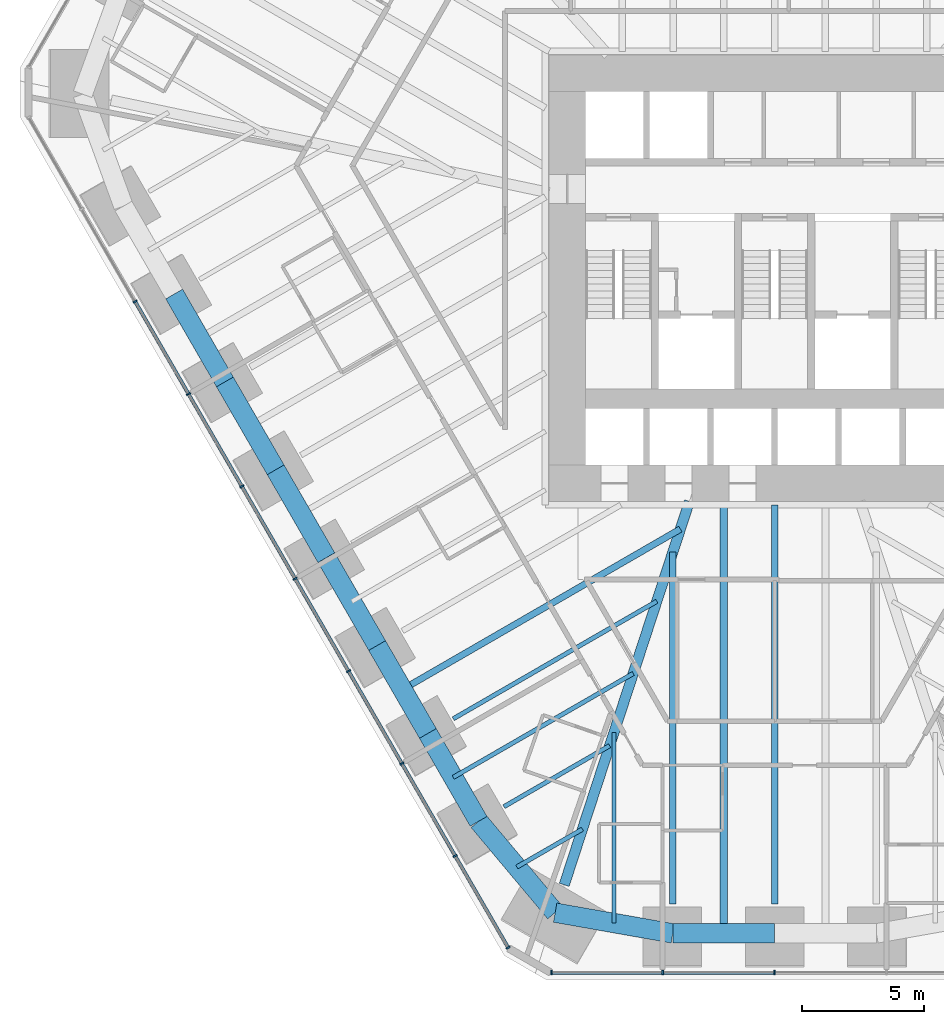
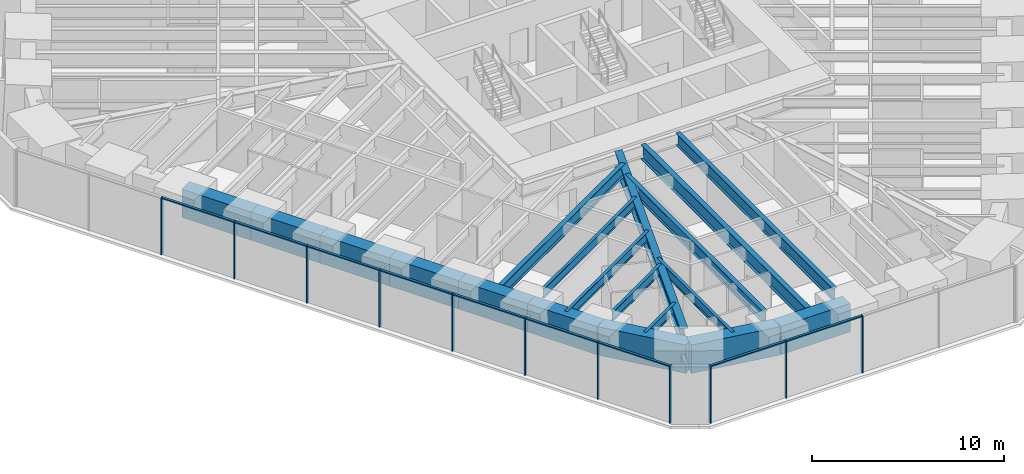
# One storey, part 2 of 17: 20 members, 19 beams, 2 elements without a shape of their own.
"""IFC4 building model written with IfcOpenShell, lengths in metres."""

from ifc_helpers import new_model, si_unit, direction, frame, origin, origin_2d, place, context, subcontext, project, spatial, rectangle, i_section, extrude, material, material_profile, profile_set, type_object, element, aggregate, save


model = new_model("IFC4")

# Units and contexts
model_context = context("Model", 3, precision=1e-05, world=origin(), true_north=direction((0.0, 1.0)))
body_context = subcontext(model_context, "Body", "Model", "MODEL_VIEW")
ifc_project = project(units=[si_unit("LENGTHUNIT", "METRE"), si_unit("AREAUNIT", "SQUARE_METRE"), si_unit("VOLUMEUNIT", "CUBIC_METRE"), si_unit("PLANEANGLEUNIT", "RADIAN"), si_unit("MASSUNIT", "GRAM", prefix="KILO")], contexts=[model_context])

# Site, building, storey
site_placement = place(None, origin())
site = spatial("IfcSite", under=ifc_project, at=site_placement, CompositionType="ELEMENT")
building_placement = place(site_placement, origin())
building = spatial("IfcBuilding", under=site, at=building_placement, Name="Sandreach Pilgrim Tower", CompositionType="ELEMENT")
storey_placement = place(building_placement, frame((0.0, 0.0, 61.0)))
storey = spatial("IfcBuildingStorey", under=building, at=storey_placement, Name="L14", CompositionType="ELEMENT", Elevation=61.0)

# Curtain wall, members
ifc_material_1 = material(Name="Aluminium framed curtain wall", Category="aluminium")
curtain_wall_type = type_object("IfcCurtainWallType", Name="Hostel tower curtain wall", PredefinedType="NOTDEFINED", material=ifc_material_1)
curtain_wall_1_placement = place(storey_placement, origin())
curtain_wall_1 = element("IfcCurtainWall", 1, at=curtain_wall_1_placement, inside=storey, type_object=curtain_wall_type, Name="CW-1 L14 S", PredefinedType="NOTDEFINED")
ifc_material_2 = material(Name="Aluminium extrusion", Category="aluminium")
ifc_material_profile_1 = material_profile(ifc_material_2, rectangle(XDim=0.06494140625, YDim=0.179931640625, at=origin_2d()), Name="CW-1M 65X180")
ifc_profile_set_1 = profile_set([ifc_material_profile_1], Name="Aluminium extrusion")
member_type_1 = type_object("IfcMemberType", Name="CW-1 mullion", PredefinedType="MULLION", material=ifc_profile_set_1)
member_1_placement = place(storey_placement, frame((0.0, -30.010986328125, 0.0), z_axis=(0.0, 0.0, 1.0), x_axis=(-1.0, 0.0, 0.0)))
member_1 = element("IfcMember", 2, at=member_1_placement, type_object=member_type_1, Name="CW-1 mullion 3", PredefinedType="MULLION", context=body_context, shape_type="SweptSolid", body=[
    extrude(rectangle(XDim=0.06494140625, YDim=0.179931640625, at=origin_2d()), origin(), (0.0, 0.0, 1.0), 3.639892578125),
])
member_2_placement = place(storey_placement, frame((-4.5859375, -30.010986328125, 0.0), z_axis=(0.0, 0.0, 1.0), x_axis=(-1.0, 0.0, 0.0)))
member_2 = element("IfcMember", 3, at=member_2_placement, type_object=member_type_1, Name="CW-1 mullion 4", PredefinedType="MULLION", context=body_context, shape_type="SweptSolid", body=[
    extrude(rectangle(XDim=0.06494140625, YDim=0.179931640625, at=origin_2d()), origin(), (0.0, 0.0, 1.0), 3.639892578125),
])
member_3_placement = place(storey_placement, frame((-9.1396484375, -30.010986328125, 0.0), z_axis=(0.0, 0.0, 1.0), x_axis=(-1.0, 0.0, 0.0)))
member_3 = element("IfcMember", 4, at=member_3_placement, type_object=member_type_1, Name="CW-1 mullion 5", PredefinedType="MULLION", context=body_context, shape_type="SweptSolid", body=[
    extrude(rectangle(XDim=0.06494140625, YDim=0.179931640625, at=origin_2d()), origin(), (0.0, 0.0, 1.0), 3.639892578125),
])

curtain_wall_2_placement = place(storey_placement, origin())
curtain_wall_2 = element("IfcCurtainWall", 5, at=curtain_wall_2_placement, inside=storey, type_object=curtain_wall_type, Name="CW-1 L14 SW", PredefinedType="NOTDEFINED")
member_4_placement = place(storey_placement, frame((-10.92041015625, -28.982666015625, 0.0), z_axis=(0.0, 0.0, 1.0), x_axis=(-0.5, 0.866025403784, 0.0)))
member_4 = element("IfcMember", 6, at=member_4_placement, type_object=member_type_1, Name="CW-1 mullion 1", PredefinedType="MULLION", context=body_context, shape_type="SweptSolid", body=[
    extrude(rectangle(XDim=0.06494140625, YDim=0.179931640625, at=origin_2d()), origin(), (0.0, 0.0, 1.0), 3.639892578125),
])
member_5_placement = place(storey_placement, frame((-13.08984375, -25.22509765625, 0.0), z_axis=(0.0, 0.0, 1.0), x_axis=(-0.5, 0.866025403784, 0.0)))
member_5 = element("IfcMember", 7, at=member_5_placement, type_object=member_type_1, Name="CW-1 mullion 2", PredefinedType="MULLION", context=body_context, shape_type="SweptSolid", body=[
    extrude(rectangle(XDim=0.06494140625, YDim=0.179931640625, at=origin_2d()), origin(), (0.0, 0.0, 1.0), 3.639892578125),
])
member_6_placement = place(storey_placement, frame((-15.275634765625, -21.439208984375, 0.0), z_axis=(0.0, 0.0, 1.0), x_axis=(-0.5, 0.866025403784, 0.0)))
member_6 = element("IfcMember", 8, at=member_6_placement, type_object=member_type_1, Name="CW-1 mullion 3", PredefinedType="MULLION", context=body_context, shape_type="SweptSolid", body=[
    extrude(rectangle(XDim=0.06494140625, YDim=0.179931640625, at=origin_2d()), origin(), (0.0, 0.0, 1.0), 3.639892578125),
])
member_7_placement = place(storey_placement, frame((-17.46142578125, -17.6533203125, 0.0), z_axis=(0.0, 0.0, 1.0), x_axis=(-0.5, 0.866025403784, 0.0)))
member_7 = element("IfcMember", 9, at=member_7_placement, type_object=member_type_1, Name="CW-1 mullion 4", PredefinedType="MULLION", context=body_context, shape_type="SweptSolid", body=[
    extrude(rectangle(XDim=0.06494140625, YDim=0.179931640625, at=origin_2d()), origin(), (0.0, 0.0, 1.0), 3.639892578125),
])
member_8_placement = place(storey_placement, frame((-19.647216796875, -13.8671875, 0.0), z_axis=(0.0, 0.0, 1.0), x_axis=(-0.5, 0.866025403784, 0.0)))
member_8 = element("IfcMember", 10, at=member_8_placement, type_object=member_type_1, Name="CW-1 mullion 5", PredefinedType="MULLION", context=body_context, shape_type="SweptSolid", body=[
    extrude(rectangle(XDim=0.06494140625, YDim=0.179931640625, at=origin_2d()), origin(), (0.0, 0.0, 1.0), 3.639892578125),
])
member_9_placement = place(storey_placement, frame((-21.8330078125, -10.081298828125, 0.0), z_axis=(0.0, 0.0, 1.0), x_axis=(-0.5, 0.866025403784, 0.0)))
member_9 = element("IfcMember", 11, at=member_9_placement, type_object=member_type_1, Name="CW-1 mullion 6", PredefinedType="MULLION", context=body_context, shape_type="SweptSolid", body=[
    extrude(rectangle(XDim=0.06494140625, YDim=0.179931640625, at=origin_2d()), origin(), (0.0, 0.0, 1.0), 3.639892578125),
])
member_10_placement = place(storey_placement, frame((-24.018798828125, -6.29541015625, 0.0), z_axis=(0.0, 0.0, 1.0), x_axis=(-0.5, 0.866025403784, 0.0)))
member_10 = element("IfcMember", 12, at=member_10_placement, type_object=member_type_1, Name="CW-1 mullion 7", PredefinedType="MULLION", context=body_context, shape_type="SweptSolid", body=[
    extrude(rectangle(XDim=0.06494140625, YDim=0.179931640625, at=origin_2d()), origin(), (0.0, 0.0, 1.0), 3.639892578125),
])
member_11_placement = place(storey_placement, frame((-26.20458984375, -2.509521484375, 0.0), z_axis=(0.0, 0.0, 1.0), x_axis=(-0.5, 0.866025403784, 0.0)))
member_11 = element("IfcMember", 13, at=member_11_placement, type_object=member_type_1, Name="CW-1 mullion 8", PredefinedType="MULLION", context=body_context, shape_type="SweptSolid", body=[
    extrude(rectangle(XDim=0.06494140625, YDim=0.179931640625, at=origin_2d()), origin(), (0.0, 0.0, 1.0), 3.639892578125),
])

# Member
ifc_material_3 = material(Name="Aluminium extrusion", Category="aluminium")
ifc_material_profile_2 = material_profile(ifc_material_3, rectangle(XDim=0.139892578125, YDim=0.070068359375, at=origin_2d()), Name="CW-1T 140X70")
ifc_profile_set_2 = profile_set([ifc_material_profile_2], Name="Aluminium extrusion")
member_type_2 = type_object("IfcMemberType", Name="CW-1 transom", PredefinedType="USERDEFINED", material=ifc_profile_set_2)
member_12_placement = place(storey_placement, frame((-0.032470703125, -30.010986328125, 3.60498046875), z_axis=(-1.0, 0.0, 0.0), x_axis=(0.0, -1.0, 0.0)))
member_12 = element("IfcMember", 14, at=member_12_placement, type_object=member_type_2, Name="CW-1 head transom 3", ObjectType="TRANSOM", PredefinedType="USERDEFINED", context=body_context, shape_type="SweptSolid", body=[
    extrude(rectangle(XDim=0.139892578125, YDim=0.070068359375, at=origin_2d()), origin(), (0.0, 0.0, 1.0), 4.52099609375),
])

member_13_placement = place(storey_placement, frame((-4.61865234375, -30.010986328125, 3.60498046875), z_axis=(-1.0, 0.0, 0.0), x_axis=(0.0, -1.0, 0.0)))
member_13 = element("IfcMember", 15, at=member_13_placement, type_object=member_type_2, Name="CW-1 head transom 4", ObjectType="TRANSOM", PredefinedType="USERDEFINED", context=body_context, shape_type="SweptSolid", body=[
    extrude(rectangle(XDim=0.139892578125, YDim=0.070068359375, at=origin_2d()), origin(), (0.0, 0.0, 1.0), 4.488525390625),
])

aggregate(curtain_wall_1, [member_1, member_2, member_3, member_12, member_13])

member_14_placement = place(storey_placement, frame((-10.9365234375, -28.95458984375, 3.60498046875), z_axis=(-0.500033953635, 0.866005799756, 0.0), x_axis=(-0.866005799756, -0.500033953635, 0.0)))
member_14 = element("IfcMember", 16, at=member_14_placement, type_object=member_type_2, Name="CW-1 head transom 1", ObjectType="TRANSOM", PredefinedType="USERDEFINED", context=body_context, shape_type="SweptSolid", body=[
    extrude(rectangle(XDim=0.139892578125, YDim=0.070068359375, at=origin_2d()), origin(), (0.0, 0.0, 1.0), 4.274169921875),
])

member_15_placement = place(storey_placement, frame((-13.106201171875, -25.19677734375, 3.60498046875), z_axis=(-0.500016891966, 0.866015650984, 0.0), x_axis=(-0.866015650984, -0.500016891966, 0.0)))
member_15 = element("IfcMember", 17, at=member_15_placement, type_object=member_type_2, Name="CW-1 head transom 2", ObjectType="TRANSOM", PredefinedType="USERDEFINED", context=body_context, shape_type="SweptSolid", body=[
    extrude(rectangle(XDim=0.139892578125, YDim=0.070068359375, at=origin_2d()), origin(), (0.0, 0.0, 1.0), 4.306396484375),
])

member_16_placement = place(storey_placement, frame((-15.2919921875, -21.410888671875, 3.60498046875), z_axis=(-0.500016891966, 0.866015650984, 0.0), x_axis=(-0.866015650984, -0.500016891966, 0.0)))
member_16 = element("IfcMember", 18, at=member_16_placement, type_object=member_type_2, Name="CW-1 head transom 3", ObjectType="TRANSOM", PredefinedType="USERDEFINED", context=body_context, shape_type="SweptSolid", body=[
    extrude(rectangle(XDim=0.139892578125, YDim=0.070068359375, at=origin_2d()), origin(), (0.0, 0.0, 1.0), 4.306396484375),
])

member_17_placement = place(storey_placement, frame((-17.477783203125, -17.625, 3.60498046875), z_axis=(-0.500016891966, 0.866015650984, 0.0), x_axis=(-0.866015650984, -0.500016891966, 0.0)))
member_17 = element("IfcMember", 19, at=member_17_placement, type_object=member_type_2, Name="CW-1 head transom 4", ObjectType="TRANSOM", PredefinedType="USERDEFINED", context=body_context, shape_type="SweptSolid", body=[
    extrude(rectangle(XDim=0.139892578125, YDim=0.070068359375, at=origin_2d()), origin(), (0.0, 0.0, 1.0), 4.306396484375),
])

member_18_placement = place(storey_placement, frame((-19.66357421875, -13.839111328125, 3.60498046875), z_axis=(-0.500016891966, 0.866015650984, 0.0), x_axis=(-0.866015650984, -0.500016891966, 0.0)))
member_18 = element("IfcMember", 20, at=member_18_placement, type_object=member_type_2, Name="CW-1 head transom 5", ObjectType="TRANSOM", PredefinedType="USERDEFINED", context=body_context, shape_type="SweptSolid", body=[
    extrude(rectangle(XDim=0.139892578125, YDim=0.070068359375, at=origin_2d()), origin(), (0.0, 0.0, 1.0), 4.306396484375),
])

member_19_placement = place(storey_placement, frame((-21.849365234375, -10.05322265625, 3.60498046875), z_axis=(-0.500016891966, 0.866015650984, 0.0), x_axis=(-0.866015650984, -0.500016891966, 0.0)))
member_19 = element("IfcMember", 21, at=member_19_placement, type_object=member_type_2, Name="CW-1 head transom 6", ObjectType="TRANSOM", PredefinedType="USERDEFINED", context=body_context, shape_type="SweptSolid", body=[
    extrude(rectangle(XDim=0.139892578125, YDim=0.070068359375, at=origin_2d()), origin(), (0.0, 0.0, 1.0), 4.306396484375),
])

member_20_placement = place(storey_placement, frame((-24.03515625, -6.267333984375, 3.60498046875), z_axis=(-0.500016891966, 0.866015650984, 0.0), x_axis=(-0.866015650984, -0.500016891966, 0.0)))
member_20 = element("IfcMember", 22, at=member_20_placement, type_object=member_type_2, Name="CW-1 head transom 7", ObjectType="TRANSOM", PredefinedType="USERDEFINED", context=body_context, shape_type="SweptSolid", body=[
    extrude(rectangle(XDim=0.139892578125, YDim=0.070068359375, at=origin_2d()), origin(), (0.0, 0.0, 1.0), 4.306396484375),
])

aggregate(curtain_wall_2, [member_4, member_5, member_6, member_7, member_8, member_9, member_10, member_11, member_14, member_15, member_16, member_17, member_18, member_19, member_20])

# Beams
ifc_material_4 = material(Name="Steel ASTM A992 Grade 50", Category="steel")
ifc_material_profile_3 = material_profile(ifc_material_4, i_section(OverallWidth=0.421630859375, OverallDepth=0.95751953125, WebThickness=0.02587890625, FlangeThickness=0.046875, at=origin_2d()), Name="W36X330")
ifc_profile_set_3 = profile_set([ifc_material_profile_3], Name="Steel ASTM A992 Grade 50")
beam_type_1 = type_object("IfcBeamType", Name="Corner girder W36X330", PredefinedType="BEAM", material=ifc_profile_set_3)
beam_1_placement = place(storey_placement, frame((-8.62109375, -26.41015625, 3.1611328125), z_axis=(0.310322772323, 0.950631251842, 0.0), x_axis=(-0.950631251842, 0.310322772323, 0.0)))
element("IfcBeam", 23, at=beam_1_placement, inside=storey, type_object=beam_type_1, Name="BM L14 CG26", PredefinedType="BEAM", context=body_context, shape_type="SweptSolid", body=[
    extrude(i_section(OverallWidth=0.421630859375, OverallDepth=0.95751953125, WebThickness=0.02587890625, FlangeThickness=0.046875, at=origin_2d()), origin(), (0.0, 0.0, 1.0), 16.526123046875),
])
ifc_material_5 = material(Name="Steel ASTM A992 Grade 50", Category="steel")
ifc_material_profile_4 = material_profile(ifc_material_5, i_section(OverallWidth=0.1787109375, OverallDepth=0.60205078125, WebThickness=0.010986328125, FlangeThickness=0.014892578125, at=origin_2d()), Name="W24X62")
ifc_profile_set_4 = profile_set([ifc_material_profile_4], Name="Steel ASTM A992 Grade 50")
beam_type_2 = type_object("IfcBeamType", Name="Floor beam W24X62", PredefinedType="BEAM", material=ifc_profile_set_4)
beam_2_placement = place(storey_placement, frame((-11.09130859375, -23.208251953125, 3.339111328125), z_axis=(0.866023836113, 0.500002715276, 0.0), x_axis=(-0.500002715276, 0.866023836113, 0.0)))
element("IfcBeam", 24, at=beam_2_placement, inside=storey, type_object=beam_type_2, Name="BM L14 F27", PredefinedType="BEAM", context=body_context, shape_type="SweptSolid", body=[
    extrude(i_section(OverallWidth=0.1787109375, OverallDepth=0.60205078125, WebThickness=0.010986328125, FlangeThickness=0.014892578125, at=origin_2d()), origin(), (0.0, 0.0, 1.0), 5.001953125),
])
beam_3_placement = place(storey_placement, frame((-13.17041015625, -19.607421875, 3.339111328125), z_axis=(0.86602604797, 0.499998884236, 0.0), x_axis=(-0.499998884236, 0.86602604797, 0.0)))
element("IfcBeam", 25, at=beam_3_placement, inside=storey, type_object=beam_type_2, Name="BM L14 F28", PredefinedType="BEAM", context=body_context, shape_type="SweptSolid", body=[
    extrude(i_section(OverallWidth=0.1787109375, OverallDepth=0.60205078125, WebThickness=0.010986328125, FlangeThickness=0.014892578125, at=origin_2d()), origin(), (0.0, 0.0, 1.0), 9.6328125),
])
beam_4_placement = place(storey_placement, frame((-6.582275390625, -27.976318359375, 3.339111328125), z_axis=(0.0, 1.0, 0.0), x_axis=(-1.0, 0.0, 0.0)))
element("IfcBeam", 26, at=beam_4_placement, inside=storey, type_object=beam_type_2, Name="BM L14 FM25", PredefinedType="BEAM", context=body_context, shape_type="SweptSolid", body=[
    extrude(i_section(OverallWidth=0.1787109375, OverallDepth=0.60205078125, WebThickness=0.010986328125, FlangeThickness=0.014892578125, at=origin_2d()), origin(), (0.0, 0.0, 1.0), 7.811767578125),
])
beam_5_placement = place(storey_placement, frame((-10.56201171875, -25.6796875, 3.339111328125), z_axis=(0.86602039108, 0.500008682159, 0.0), x_axis=(-0.500008682159, 0.86602039108, 0.0)))
element("IfcBeam", 27, at=beam_5_placement, inside=storey, type_object=beam_type_2, Name="BM L14 FM26", PredefinedType="BEAM", context=body_context, shape_type="SweptSolid", body=[
    extrude(i_section(OverallWidth=0.1787109375, OverallDepth=0.60205078125, WebThickness=0.010986328125, FlangeThickness=0.014892578125, at=origin_2d()), origin(), (0.0, 0.0, 1.0), 3.10107421875),
])
beam_6_placement = place(storey_placement, frame((-13.169921875, -22.0078125, 3.339111328125), z_axis=(0.866031407177, 0.499989601675, 0.0), x_axis=(-0.499989601675, 0.866031407177, 0.0)))
element("IfcBeam", 28, at=beam_6_placement, inside=storey, type_object=beam_type_2, Name="BM L14 FM27", PredefinedType="BEAM", context=body_context, shape_type="SweptSolid", body=[
    extrude(i_section(OverallWidth=0.1787109375, OverallDepth=0.60205078125, WebThickness=0.010986328125, FlangeThickness=0.014892578125, at=origin_2d()), origin(), (0.0, 0.0, 1.0), 8.517333984375),
])
ifc_material_6 = material(Name="Steel ASTM A992 Grade 50", Category="steel")
ifc_material_profile_5 = material_profile(ifc_material_6, i_section(OverallWidth=0.2666015625, OverallDepth=0.761962890625, WebThickness=0.014404296875, FlangeThickness=0.021484375, at=origin_2d()), Name="W30X116")
ifc_profile_set_5 = profile_set([ifc_material_profile_5], Name="Steel ASTM A992 Grade 50")
beam_type_3 = type_object("IfcBeamType", Name="Floor beam W30X116", PredefinedType="BEAM", material=ifc_profile_set_5)
beam_7_placement = place(storey_placement, frame((-4.171142578125, -27.201904296875, 3.259033203125), z_axis=(0.0, 1.0, 0.0), x_axis=(-1.0, 0.0, 0.0)))
element("IfcBeam", 29, at=beam_7_placement, inside=storey, type_object=beam_type_3, Name="BM L14 F25", PredefinedType="BEAM", context=body_context, shape_type="SweptSolid", body=[
    extrude(i_section(OverallWidth=0.2666015625, OverallDepth=0.761962890625, WebThickness=0.014404296875, FlangeThickness=0.021484375, at=origin_2d()), origin(), (0.0, 0.0, 1.0), 14.424072265625),
])
beam_8_placement = place(storey_placement, frame((-15.2490234375, -18.40673828125, 3.259033203125), z_axis=(0.866025719009, 0.499999454014, 0.0), x_axis=(-0.499999454014, 0.866025719009, 0.0)))
element("IfcBeam", 30, at=beam_8_placement, inside=storey, type_object=beam_type_3, Name="BM L14 FM28", PredefinedType="BEAM", context=body_context, shape_type="SweptSolid", body=[
    extrude(i_section(OverallWidth=0.2666015625, OverallDepth=0.761962890625, WebThickness=0.014404296875, FlangeThickness=0.021484375, at=origin_2d()), origin(), (0.0, 0.0, 1.0), 13.14794921875),
])
ifc_material_7 = material(Name="Steel ASTM A992 Grade 50", Category="steel")
ifc_material_profile_6 = material_profile(ifc_material_7, i_section(OverallWidth=0.2666015625, OverallDepth=0.77978515625, WebThickness=0.0166015625, FlangeThickness=0.030029296875, at=origin_2d()), Name="W30X148")
ifc_profile_set_6 = profile_set([ifc_material_profile_6], Name="Steel ASTM A992 Grade 50")
beam_type_4 = type_object("IfcBeamType", Name="Floor beam W30X148", PredefinedType="BEAM", material=ifc_profile_set_6)
beam_9_placement = place(storey_placement, frame((0.0, -27.201904296875, 3.25), z_axis=(0.0, 1.0, 0.0), x_axis=(-1.0, 0.0, 0.0)))
element("IfcBeam", 31, at=beam_9_placement, inside=storey, type_object=beam_type_4, Name="BM L14 F24", PredefinedType="BEAM", context=body_context, shape_type="SweptSolid", body=[
    extrude(i_section(OverallWidth=0.2666015625, OverallDepth=0.77978515625, WebThickness=0.0166015625, FlangeThickness=0.030029296875, at=origin_2d()), origin(), (0.0, 0.0, 1.0), 16.358642578125),
])
ifc_material_8 = material(Name="Steel ASTM A992 Grade 50", Category="steel")
ifc_material_profile_7 = material_profile(ifc_material_8, i_section(OverallWidth=0.3046875, OverallDepth=0.914306640625, WebThickness=0.0166015625, FlangeThickness=0.02587890625, at=origin_2d()), Name="W36X160")
ifc_profile_set_7 = profile_set([ifc_material_profile_7], Name="Steel ASTM A992 Grade 50")
beam_type_5 = type_object("IfcBeamType", Name="Floor beam W36X160", PredefinedType="BEAM", material=ifc_profile_set_7)
beam_10_placement = place(storey_placement, frame((-2.08544921875, -28.40185546875, 3.182861328125), z_axis=(0.0, 1.0, 0.0), x_axis=(-1.0, 0.0, 0.0)))
element("IfcBeam", 32, at=beam_10_placement, inside=storey, type_object=beam_type_5, Name="BM L14 FM24", PredefinedType="BEAM", context=body_context, shape_type="SweptSolid", body=[
    extrude(i_section(OverallWidth=0.3046875, OverallDepth=0.914306640625, WebThickness=0.0166015625, FlangeThickness=0.02587890625, at=origin_2d()), origin(), (0.0, 0.0, 1.0), 17.55859375),
])
ifc_material_9 = material(Name="Concrete 10000 psi", Category="concrete")
ifc_material_profile_8 = material_profile(ifc_material_9, rectangle(XDim=0.800048828125, YDim=1.800048828125, at=origin_2d()), Name="RC800X1800")
ifc_profile_set_8 = profile_set([ifc_material_profile_8], Name="Concrete 10000 psi")
beam_type_6 = type_object("IfcBeamType", Name="Spandrel beam RC800X1800", PredefinedType="SPANDREL", material=ifc_profile_set_8)
beam_11_placement = place(storey_placement, frame((0.0, -28.40185546875, 2.739990234375), z_axis=(-1.0, 0.0, 0.0), x_axis=(0.0, -1.0, 0.0)))
element("IfcBeam", 33, at=beam_11_placement, inside=storey, type_object=beam_type_6, Name="BM L14 SP24", PredefinedType="SPANDREL", context=body_context, shape_type="SweptSolid", body=[
    extrude(rectangle(XDim=0.800048828125, YDim=1.800048828125, at=origin_2d()), origin(), (0.0, 0.0, 1.0), 4.171142578125),
])
beam_12_placement = place(storey_placement, frame((-4.171142578125, -28.40185546875, 2.739990234375), z_axis=(-0.984789079474, 0.173754047285, 0.0), x_axis=(-0.173754047285, -0.984789079474, 0.0)))
element("IfcBeam", 34, at=beam_12_placement, inside=storey, type_object=beam_type_6, Name="BM L14 SP25", PredefinedType="SPANDREL", context=body_context, shape_type="SweptSolid", body=[
    extrude(rectangle(XDim=0.800048828125, YDim=1.800048828125, at=origin_2d()), origin(), (0.0, 0.0, 1.0), 4.896728515625),
])
beam_13_placement = place(storey_placement, frame((-8.993408203125, -27.551025390625, 2.739990234375), z_axis=(-0.642394495368, 0.766374133385, 0.0), x_axis=(-0.766374133385, -0.642394495368, 0.0)))
element("IfcBeam", 35, at=beam_13_placement, inside=storey, type_object=beam_type_6, Name="BM L14 SP26", PredefinedType="SPANDREL", context=body_context, shape_type="SweptSolid", body=[
    extrude(rectangle(XDim=0.800048828125, YDim=1.800048828125, at=origin_2d()), origin(), (0.0, 0.0, 1.0), 4.883544921875),
])
beam_14_placement = place(storey_placement, frame((-12.130615234375, -23.808349609375, 2.739990234375), z_axis=(-0.499959641417, 0.86604870357, 0.0), x_axis=(-0.86604870357, -0.499959641417, 0.0)))
element("IfcBeam", 36, at=beam_14_placement, inside=storey, type_object=beam_type_6, Name="BM L14 SP27", PredefinedType="SPANDREL", context=body_context, shape_type="SweptSolid", body=[
    extrude(rectangle(XDim=0.800048828125, YDim=1.800048828125, at=origin_2d()), origin(), (0.0, 0.0, 1.0), 4.157958984375),
])
beam_15_placement = place(storey_placement, frame((-14.20947265625, -20.207275390625, 2.739990234375), z_axis=(-0.500003678222, 0.866023280152, 0.0), x_axis=(-0.866023280152, -0.500003678222, 0.0)))
element("IfcBeam", 37, at=beam_15_placement, inside=storey, type_object=beam_type_6, Name="BM L14 SP28", PredefinedType="SPANDREL", context=body_context, shape_type="SweptSolid", body=[
    extrude(rectangle(XDim=0.800048828125, YDim=1.800048828125, at=origin_2d()), origin(), (0.0, 0.0, 1.0), 4.158203125),
])
beam_16_placement = place(storey_placement, frame((-16.28857421875, -16.606201171875, 2.739990234375), z_axis=(-0.50002910309, 0.866008600455, 0.0), x_axis=(-0.866008600455, -0.50002910309, 0.0)))
element("IfcBeam", 38, at=beam_16_placement, inside=storey, type_object=beam_type_6, Name="BM L14 SP29", PredefinedType="SPANDREL", context=body_context, shape_type="SweptSolid", body=[
    extrude(rectangle(XDim=0.800048828125, YDim=1.800048828125, at=origin_2d()), origin(), (0.0, 0.0, 1.0), 4.157958984375),
])
for number, where, z_axis, x_axis, name in (
    (39, (-18.36767578125, -13.00537109375, 2.739990234375), (-0.500003678222, 0.866023280152, 0.0), (-0.866023280152, -0.500003678222, 0.0), "BM L14 SP30"),
    (40, (-20.44677734375, -9.404296875, 2.739990234375), (-0.500003678222, 0.866023280152, 0.0), (-0.866023280152, -0.500003678222, 0.0), "BM L14 SP31"),
):
    element("IfcBeam", number, at=place(storey_placement, frame(where, z_axis=z_axis, x_axis=x_axis)), inside=storey, type_object=beam_type_6, Name=name, PredefinedType="SPANDREL", context=body_context, shape_type="SweptSolid", body=[
        extrude(rectangle(XDim=0.800048828125, YDim=1.800048828125, at=origin_2d()), origin(), (0.0, 0.0, 1.0), 4.158203125),
    ])
beam_17_placement = place(storey_placement, frame((-22.52587890625, -5.80322265625, 2.739990234375), z_axis=(-0.499959641417, 0.86604870357, 0.0), x_axis=(-0.86604870357, -0.499959641417, 0.0)))
element("IfcBeam", 41, at=beam_17_placement, inside=storey, type_object=beam_type_6, Name="BM L14 SP32", PredefinedType="SPANDREL", context=body_context, shape_type="SweptSolid", body=[
    extrude(rectangle(XDim=0.800048828125, YDim=1.800048828125, at=origin_2d()), origin(), (0.0, 0.0, 1.0), 4.157958984375),
])

save(model, "model.ifc")
